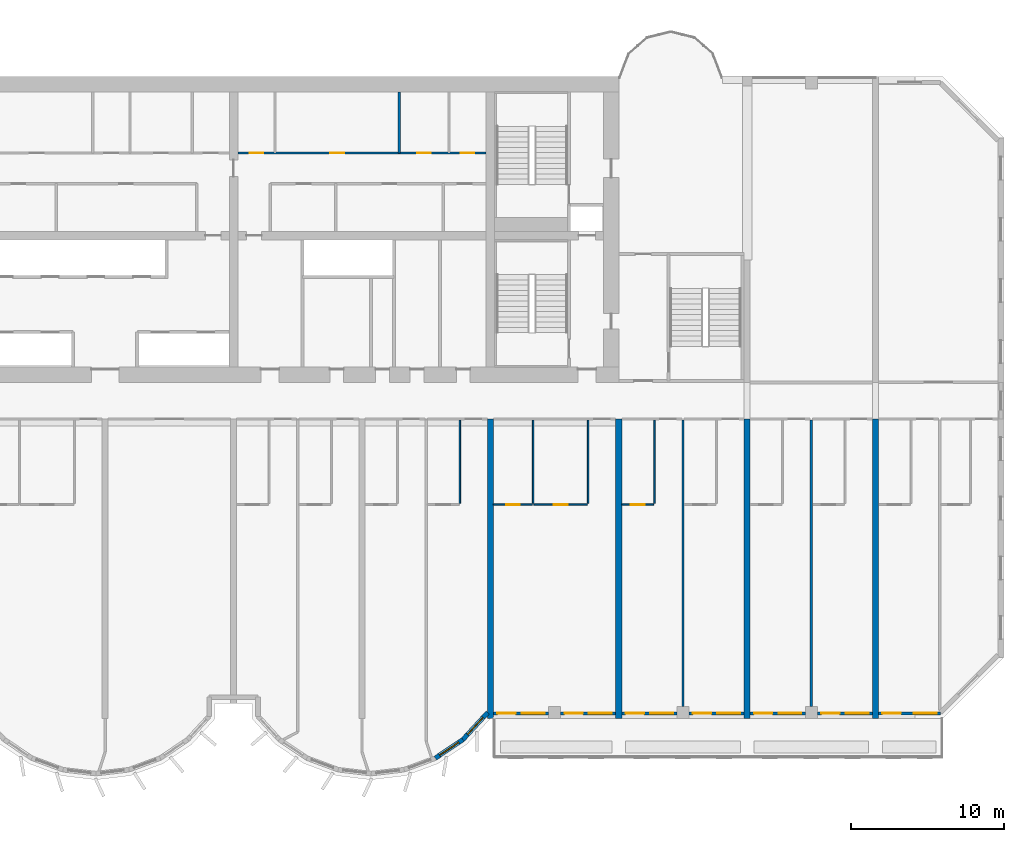
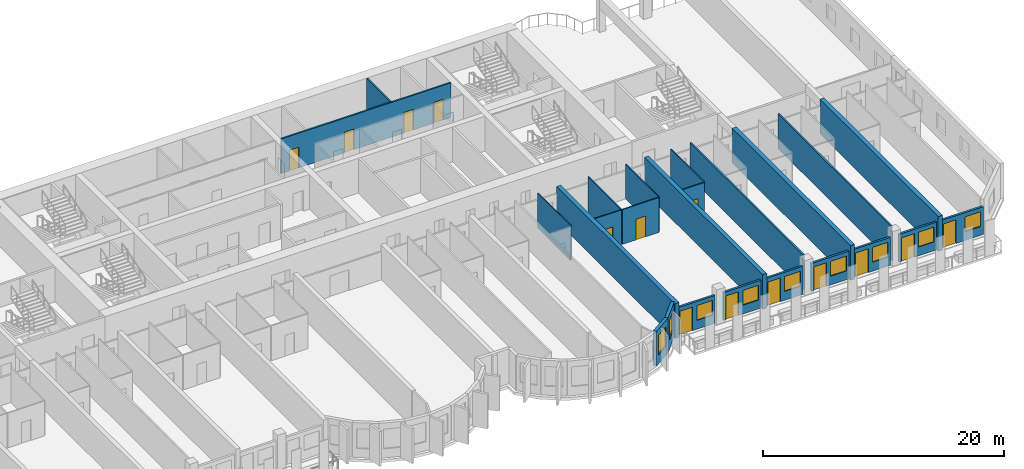
# One storey, part 8 of 14: 24 walls, 14 doors, 9 windows, 23 openings.
"""IFC4 building model written with IfcOpenShell, lengths in metres."""

import ifcopenshell
import ifcopenshell.guid

model = None  # the IFC model being written
_history = None  # IfcOwnerHistory: only IFC2X3 demands one
_inside = {}  # id of a spatial element -> (the spatial element, [elements in it])
_under = {}  # id of a project, library or spatial element -> (it, [spatial elements below it])
_declared = {}  # id of a project -> (the project, [libraries it declares])
_typed = {}  # id of a type object -> (the type object, [elements of that type])
_made_of = {}  # id of a material, layer set ... -> (it, [elements and type objects made of it])


def new_model(schema):
    """Start an empty IFC model of exactly this schema.

    Asked for "IFC4X3", IfcOpenShell would pick the latest addendum, in which some entities
    have other attributes; the version numbers below select the first issue.
    IFC2X3 requires an IfcOwnerHistory on every rooted entity: one is made here for all.
    """
    global model, _history
    if schema == "IFC4X3":
        model = ifcopenshell.file(schema_version=(4, 3, 0, 0))
    else:
        model = ifcopenshell.file(schema=schema)
    _inside.clear()
    _under.clear()
    _declared.clear()
    _typed.clear()
    _made_of.clear()
    _history = None
    if model.schema == "IFC2X3":
        org = make("IfcOrganization", Name="unknown")
        user = make(
            "IfcPersonAndOrganization",
            ThePerson=make("IfcPerson", FamilyName="unknown"),
            TheOrganization=org,
        )
        app = make(
            "IfcApplication",
            ApplicationDeveloper=org,
            Version="unknown",
            ApplicationFullName="unknown",
            ApplicationIdentifier="unknown",
        )
        _history = make(
            "IfcOwnerHistory",
            OwningUser=user,
            OwningApplication=app,
            ChangeAction="ADDED",
            CreationDate=0,
        )
    return model


def make(cls, **values):
    """One entity of the class cls with the attributes given. An attribute that is None is left unset."""
    return model.create_entity(
        cls, **{name: value for name, value in values.items() if value is not None}
    )


def rooted(cls, **values):
    """An entity with a GlobalId (a new one), such as an element, a storey or a relation."""
    return make(cls, GlobalId=ifcopenshell.guid.new(), OwnerHistory=_history, **values)


def si_unit(unit_type, name, prefix=None):
    """IfcSIUnit, for example si_unit("LENGTHUNIT", "METRE", prefix="MILLI")."""
    return make("IfcSIUnit", UnitType=unit_type, Prefix=prefix, Name=name)


def assignment(units):
    """IfcUnitAssignment: the units of a project."""
    return None if units is None else make("IfcUnitAssignment", Units=units)


def point(xyz):
    """IfcCartesianPoint."""
    return None if xyz is None else make("IfcCartesianPoint", Coordinates=xyz)


def direction(xyz):
    """IfcDirection."""
    return None if xyz is None else make("IfcDirection", DirectionRatios=xyz)


def frame(location, z_axis=None, x_axis=None):
    """IfcAxis2Placement3D, a coordinate frame: its origin and axes. An axis left out is left unset."""
    return make(
        "IfcAxis2Placement3D",
        Location=point(location),
        Axis=direction(z_axis),
        RefDirection=direction(x_axis),
    )


def frame_2d(location, x_axis=None):
    """IfcAxis2Placement2D, a coordinate frame in the plane: its origin and x axis."""
    return make(
        "IfcAxis2Placement2D", Location=point(location), RefDirection=direction(x_axis)
    )


def origin():
    """The frame at (0, 0, 0) with its axes left unset."""
    return frame((0.0, 0.0, 0.0))


def place(relative_to, where):
    """IfcLocalPlacement: puts the frame where relative to a parent placement (None: the world)."""
    return make(
        "IfcLocalPlacement", PlacementRelTo=relative_to, RelativePlacement=where
    )


def context(
    kind, dimensions, precision=None, world=None, true_north=None, identifier=None
):
    """IfcGeometricRepresentationContext, for example the 3D "Model" context."""
    return make(
        "IfcGeometricRepresentationContext",
        ContextIdentifier=identifier,
        ContextType=kind,
        CoordinateSpaceDimension=dimensions,
        Precision=precision,
        WorldCoordinateSystem=world,
        TrueNorth=true_north,
    )


def subcontext(parent, identifier, kind, view, scale=None):
    """IfcGeometricRepresentationSubContext, for example "Body" below "Model"."""
    return make(
        "IfcGeometricRepresentationSubContext",
        ContextIdentifier=identifier,
        ContextType=kind,
        ParentContext=parent,
        TargetScale=scale,
        TargetView=view,
    )


def project(units=None, contexts=None):
    """IfcProject with its units and contexts."""
    return rooted(
        "IfcProject",
        Name="project",
        RepresentationContexts=contexts,
        UnitsInContext=assignment(units),
    )


def spatial(cls, under=None, at=None, **own):
    """A site, building, storey or space (cls), placed at a placement, below another one or the project."""
    s = rooted(cls, ObjectPlacement=at, **own)
    if under is not None:
        _under.setdefault(under.id(), (under, []))[1].append(s)
    return s


def profile(cls, at=None, kind="AREA", **sizes):
    """A parametric profile (cls). Its sizes go by their IFC names, for example OverallWidth=200.0."""
    return make(cls, ProfileType=kind, Position=at, **sizes)


def rectangle(**sizes):
    """IfcRectangleProfileDef."""
    return profile("IfcRectangleProfileDef", **sizes)


def extrude(swept, where, along, depth):
    """IfcExtrudedAreaSolid: the profile swept, set in the frame where, extruded along a direction by depth."""
    return make(
        "IfcExtrudedAreaSolid",
        SweptArea=swept,
        Position=where,
        ExtrudedDirection=direction(along),
        Depth=depth,
    )


def shape(context_of_items, identifier, shape_type, items):
    """IfcShapeRepresentation: the items that make up one representation, for example the "Body"."""
    return make(
        "IfcShapeRepresentation",
        ContextOfItems=context_of_items,
        RepresentationIdentifier=identifier,
        RepresentationType=shape_type,
        Items=items,
    )


def source(mapping_origin, context_of_items, identifier, shape_type, items):
    """IfcRepresentationMap: a shape defined once, which mapped items show again and again."""
    return make(
        "IfcRepresentationMap",
        MappingOrigin=mapping_origin,
        MappedRepresentation=shape(context_of_items, identifier, shape_type, items),
    )


def transform(
    local_origin,
    x_axis=None,
    y_axis=None,
    z_axis=None,
    scale=None,
    scale2=None,
    scale3=None,
    uniform=True,
):
    """IfcCartesianTransformationOperator3D, or its non-uniform kind. x_axis, y_axis, z_axis: its Axis1, 2, 3."""
    if uniform:
        return make(
            "IfcCartesianTransformationOperator3D",
            Axis1=direction(x_axis),
            Axis2=direction(y_axis),
            LocalOrigin=point(local_origin),
            Scale=scale,
            Axis3=direction(z_axis),
        )
    return make(
        "IfcCartesianTransformationOperator3DnonUniform",
        Axis1=direction(x_axis),
        Axis2=direction(y_axis),
        LocalOrigin=point(local_origin),
        Scale=scale,
        Axis3=direction(z_axis),
        Scale2=scale2,
        Scale3=scale3,
    )


def mapped(mapping_source, mapping_target):
    """IfcMappedItem: shows the shape of a source again, moved by a transform."""
    return make(
        "IfcMappedItem", MappingSource=mapping_source, MappingTarget=mapping_target
    )


def material(Name=None, Category=None):
    """IfcMaterial."""
    return make("IfcMaterial", Name=Name, Category=Category)


def layer(
    of_material, thickness, ventilated=None, Name=None, Category=None, Priority=None
):
    """IfcMaterialLayer: one layer of a wall or slab, of a material (None: an air gap)."""
    return make(
        "IfcMaterialLayer",
        Material=of_material,
        LayerThickness=thickness,
        IsVentilated=ventilated,
        Name=Name,
        Category=Category,
        Priority=Priority,
    )


def layer_set(layers, Name=None):
    """IfcMaterialLayerSet."""
    return make("IfcMaterialLayerSet", MaterialLayers=layers, LayerSetName=Name)


def made_of(thing, what):
    """Note that an element or type object is made of a material, layer set ...; save() writes the relation."""
    if what is not None:
        _made_of.setdefault(what.id(), (what, []))[1].append(thing)
    return thing


def type_object(cls, material=None, **own):
    """A type object (cls), such as IfcWallType, which elements share."""
    return made_of(rooted(cls, **own), material)


def element(
    cls,
    number,
    at=None,
    inside=None,
    cuts=None,
    type_object=None,
    material=None,
    context=None,
    identifier="Body",
    shape_type=None,
    held_by="IfcProductDefinitionShape",
    body=None,
    shapes=None,
    **own,
):
    """One element of the class cls, such as IfcWall. Its Tag is "e" and its number.

    at: its placement. inside: the storey or other place that contains it. cuts: it is an
    opening in that element (IfcRelVoidsElement). A single representation is given by context,
    identifier, shape_type and body (its items); several are given by shapes. held_by: the class
    of the entity that holds the representations. save() writes the other relations.
    """
    e = rooted(cls, Tag="e%d" % number, ObjectPlacement=at, **own)
    if body is not None:
        shapes = [shape(context, identifier, shape_type, body)]
    if shapes is not None:
        e.Representation = make(held_by, Representations=shapes)
    if inside is not None:
        _inside.setdefault(inside.id(), (inside, []))[1].append(e)
    if cuts is not None:
        rooted(
            "IfcRelVoidsElement", RelatingBuildingElement=cuts, RelatedOpeningElement=e
        )
    if type_object is not None:
        _typed.setdefault(type_object.id(), (type_object, []))[1].append(e)
    return made_of(e, material)


def fill(opening, filler):
    """IfcRelFillsElement: the door or window that sits in an opening."""
    return rooted(
        "IfcRelFillsElement",
        RelatingOpeningElement=opening,
        RelatedBuildingElement=filler,
    )


def aggregate(whole, parts):
    """IfcRelAggregates: a whole, such as a stair, and the parts it consists of."""
    return rooted("IfcRelAggregates", RelatingObject=whole, RelatedObjects=parts)


def save(model, path):
    """Write the relations noted so far, then the file.

    IfcRelAggregates (storeys below a building ...), IfcRelContainedInSpatialStructure (elements
    in a storey), IfcRelDefinesByType, IfcRelAssociatesMaterial and IfcRelDeclares: one each for
    every whole, place, type object, material and project.
    """
    for whole, parts in _under.values():
        aggregate(whole, parts)
    for where, things in _inside.values():
        rooted(
            "IfcRelContainedInSpatialStructure",
            RelatedElements=things,
            RelatingStructure=where,
        )
    for kind, things in _typed.values():
        rooted("IfcRelDefinesByType", RelatedObjects=things, RelatingType=kind)
    for what, things in _made_of.values():
        rooted("IfcRelAssociatesMaterial", RelatedObjects=things, RelatingMaterial=what)
    for by, libraries in _declared.values():
        rooted("IfcRelDeclares", RelatingContext=by, RelatedDefinitions=libraries)
    model.write(path)


model = new_model("IFC4")

# Units and contexts
model_context = context("Model", 3, precision=1e-05, world=origin(), true_north=direction((0.0, 1.0)))
body_context = subcontext(model_context, "Body", "Model", "MODEL_VIEW")
ifc_project = project(units=[si_unit("LENGTHUNIT", "METRE"), si_unit("AREAUNIT", "SQUARE_METRE"), si_unit("VOLUMEUNIT", "CUBIC_METRE"), si_unit("PLANEANGLEUNIT", "RADIAN"), si_unit("MASSUNIT", "GRAM", prefix="KILO")], contexts=[model_context])

# Site, building, storey
site_placement = place(None, origin())
site = spatial("IfcSite", under=ifc_project, at=site_placement, CompositionType="ELEMENT")
building_placement = place(site_placement, origin())
building = spatial("IfcBuilding", under=site, at=building_placement, Name="Vanashikhar Sky Hotel", CompositionType="ELEMENT")
storey_placement = place(building_placement, frame((0.0, 0.0, 58.199951171875)))
storey = spatial("IfcBuildingStorey", under=building, at=storey_placement, Name="L13", CompositionType="ELEMENT", Elevation=58.199951171875)

# Walls
ifc_material_1 = material(Name="Concrete M80", Category="concrete")
ifc_layer_1 = layer(ifc_material_1, 0.39990234375)
ifc_layer_set_1 = layer_set([ifc_layer_1], Name="RC shear wall 400 Concrete M80")
wall_type_1 = type_object("IfcWallType", Name="RC shear wall 400 Concrete M80", PredefinedType="SHEAR", material=ifc_layer_set_1)
shared_shape_1 = source(origin(), body_context, "Body", "SweptSolid", [
    extrude(rectangle(XDim=19.60009765625, YDim=0.39990234375, at=frame_2d((9.800048828125, 0.0))), origin(), (0.0, 0.0, 1.0), 3.52001953125),
])
for number, where, z_axis, x_axis, name in (
    (1, (67.199951171875, 0.0, 0.0), (0.0, 0.0, 1.0), (0.0, 1.0, 0.0), "CW-L13-XW09-1"),
    (2, (75.60009765625, 0.0, 0.0), (0.0, 0.0, 1.0), (0.0, 1.0, 0.0), "CW-L13-XW10-1"),
    (3, (84.0, 0.0, 0.0), (0.0, 0.0, 1.0), (0.0, 1.0, 0.0), "CW-L13-XW11-1"),
    (4, (92.39990234375, 0.0, 0.0), (0.0, 0.0, 1.0), (0.0, 1.0, 0.0), "CW-L13-XW12-1"),
):
    element("IfcWall", number, at=place(storey_placement, frame(where, z_axis=z_axis, x_axis=x_axis)), inside=storey, type_object=wall_type_1, Name=name, PredefinedType="SHEAR", context=body_context, shape_type="MappedRepresentation", body=[
        mapped(shared_shape_1, transform((0.0, 0.0, 0.0), scale=1.0)),
    ])

# Wall, opening, window
ifc_material_2 = material(Name="Concrete M50", Category="concrete")
ifc_layer_2 = layer(ifc_material_2, 0.300048828125)
ifc_layer_set_2 = layer_set([ifc_layer_2], Name="Lobe wall 300")
wall_type_2 = type_object("IfcWallType", Name="Lobe wall 300", PredefinedType="SOLIDWALL", material=ifc_layer_set_2)
shared_shape_2 = source(origin(), body_context, "Body", "SweptSolid", [
    extrude(rectangle(XDim=2.398193359375, YDim=0.300048828125, at=frame_2d((1.19921875, 0.0))), origin(), (0.0, 0.0, 1.0), 3.52001953125),
])
wall_1_placement = place(storey_placement, frame((65.404296875, -1.36865234375, 0.0), z_axis=(0.0, 0.0, 1.0), x_axis=(0.675374189419, 0.737475222815, 0.0)))
wall_1 = element("IfcWall", 5, at=wall_1_placement, inside=storey, type_object=wall_type_2, Name="Lobe wall", PredefinedType="SOLIDWALL", context=body_context, shape_type="MappedRepresentation", body=[
    mapped(shared_shape_2, transform((0.0, 0.0, 0.0), scale=1.0)),
])
shared_shape_3 = source(origin(), body_context, "Body", "SweptSolid", [
    extrude(rectangle(XDim=1.5, YDim=2.0, at=frame_2d((0.75, 1.0))), frame((0.0, 0.16015625, 0.0), z_axis=(0.0, -1.0, 0.0), x_axis=(1.0, 0.0, 0.0)), (0.0, 0.0, 1.0), 0.320068359375),
])
opening_1_placement = place(wall_1_placement, frame((0.44921875, 0.0, 0.89990234375)))
opening_1 = element("IfcOpeningElement", 6, at=opening_1_placement, cuts=wall_1, Name="Opening WN-2", PredefinedType="OPENING", context=body_context, shape_type="MappedRepresentation", body=[
    mapped(shared_shape_3, transform((0.0, 0.0, 0.0), scale=1.0)),
])
ifc_material_3 = material(Name="Glass", Category="glass")
window_type_1 = type_object("IfcWindowType", Name="Lobe window 1500 x 2000", PartitioningType="SINGLE_PANEL", PredefinedType="WINDOW", material=ifc_material_3)
shared_shape_4 = source(origin(), body_context, "Body", "SweptSolid", [
    extrude(rectangle(XDim=1.5, YDim=2.0, at=frame_2d((0.75, 1.0))), frame((0.0, 0.030029296875, 0.0), z_axis=(0.0, -1.0, 0.0), x_axis=(1.0, 0.0, 0.0)), (0.0, 0.0, 1.0), 0.06005859375),
])
window_1_placement = place(opening_1_placement, origin())
window_1 = element("IfcWindow", 7, at=window_1_placement, inside=storey, type_object=window_type_1, Name="Window WN-2", OverallHeight=2.0, OverallWidth=1.5, PartitioningType="SINGLE_PANEL", PredefinedType="WINDOW", context=body_context, shape_type="MappedRepresentation", body=[
    mapped(shared_shape_4, transform((0.0, 0.0, 0.0), scale=1.0)),
])
fill(opening_1, window_1)

shared_shape_5 = source(origin(), body_context, "Body", "SweptSolid", [
    extrude(rectangle(XDim=2.17578125, YDim=0.300048828125, at=frame_2d((1.087890625, 0.0))), origin(), (0.0, 0.0, 1.0), 3.52001953125),
])
wall_2_placement = place(storey_placement, frame((63.59912109375, -2.58349609375, 0.0), z_axis=(0.0, 0.0, 1.0), x_axis=(0.829625727223, 0.558319937607, 0.0)))
wall_2 = element("IfcWall", 8, at=wall_2_placement, inside=storey, type_object=wall_type_2, Name="Lobe wall", PredefinedType="SOLIDWALL", context=body_context, shape_type="MappedRepresentation", body=[
    mapped(shared_shape_5, transform((0.0, 0.0, 0.0), scale=1.0)),
])
opening_2_placement = place(wall_2_placement, frame((0.337890625, 0.0, 0.89990234375)))
opening_2 = element("IfcOpeningElement", 9, at=opening_2_placement, cuts=wall_2, Name="Opening WN-2", PredefinedType="OPENING", context=body_context, shape_type="MappedRepresentation", body=[
    mapped(shared_shape_3, transform((0.0, 0.0, 0.0), scale=1.0)),
])
window_2_placement = place(opening_2_placement, origin())
window_2 = element("IfcWindow", 10, at=window_2_placement, inside=storey, type_object=window_type_1, Name="Window WN-2", OverallHeight=2.0, OverallWidth=1.5, PartitioningType="SINGLE_PANEL", PredefinedType="WINDOW", context=body_context, shape_type="MappedRepresentation", body=[
    mapped(shared_shape_4, transform((0.0, 0.0, 0.0), scale=1.0)),
])
fill(opening_2, window_2)

# Wall, openings, window, door
ifc_layer_3 = layer(ifc_material_2, 0.199951171875)
ifc_layer_set_3 = layer_set([ifc_layer_3], Name="Front window wall 200")
wall_type_3 = type_object("IfcWallType", Name="Front window wall 200", PredefinedType="SOLIDWALL", material=ifc_layer_set_3)
shared_shape_6 = source(origin(), body_context, "Body", "SweptSolid", [
    extrude(rectangle(XDim=4.054931640625, YDim=0.199951171875, at=frame_2d((2.02734375, 0.0))), origin(), (0.0, 0.0, 1.0), 2.820068359375),
])
wall_3_placement = place(storey_placement, frame((92.60009765625, 0.35009765625, 0.0), z_axis=(0.0, 0.0, 1.0), x_axis=(1.0, 0.0, 0.0)))
wall_3 = element("IfcWall", 11, at=wall_3_placement, inside=storey, type_object=wall_type_3, Name="Front window wall", PredefinedType="SOLIDWALL", context=body_context, shape_type="MappedRepresentation", body=[
    mapped(shared_shape_6, transform((0.0, 0.0, 0.0), scale=1.0)),
])
shared_shape_7 = source(origin(), body_context, "Body", "SweptSolid", [
    extrude(rectangle(XDim=1.199951171875, YDim=2.39990234375, at=frame_2d((0.60009765625, 1.199951171875))), frame((0.0, 0.10986328125, 0.0), z_axis=(0.0, -1.0, 0.0), x_axis=(1.0, 0.0, 0.0)), (0.0, 0.0, 1.0), 0.219970703125),
])
opening_3_placement = place(wall_3_placement, frame((0.25, 0.0, 0.0)))
opening_3 = element("IfcOpeningElement", 12, at=opening_3_placement, cuts=wall_3, Name="Opening BD-14", PredefinedType="OPENING", context=body_context, shape_type="MappedRepresentation", body=[
    mapped(shared_shape_7, transform((0.0, 0.0, 0.0), scale=1.0)),
])
shared_shape_8 = source(origin(), body_context, "Body", "SweptSolid", [
    extrude(rectangle(XDim=1.5, YDim=1.5, at=frame_2d((0.75, 0.75))), frame((0.0, 0.10986328125, 0.0), z_axis=(0.0, -1.0, 0.0), x_axis=(1.0, 0.0, 0.0)), (0.0, 0.0, 1.0), 0.219970703125),
])
opening_4_placement = place(wall_3_placement, frame((2.304931640625, 0.0, 0.89990234375)))
opening_4 = element("IfcOpeningElement", 13, at=opening_4_placement, cuts=wall_3, Name="Opening WN-1", PredefinedType="OPENING", context=body_context, shape_type="MappedRepresentation", body=[
    mapped(shared_shape_8, transform((0.0, 0.0, 0.0), scale=1.0)),
])
window_type_2 = type_object("IfcWindowType", Name="Window 1500 x 1500", PartitioningType="SINGLE_PANEL", PredefinedType="WINDOW", material=ifc_material_3)
shared_shape_9 = source(origin(), body_context, "Body", "SweptSolid", [
    extrude(rectangle(XDim=1.5, YDim=1.5, at=frame_2d((0.75, 0.75))), frame((0.0, 0.030029296875, 0.0), z_axis=(0.0, -1.0, 0.0), x_axis=(1.0, 0.0, 0.0)), (0.0, 0.0, 1.0), 0.06005859375),
])
window_3_placement = place(opening_4_placement, origin())
window_3 = element("IfcWindow", 14, at=window_3_placement, inside=storey, type_object=window_type_2, Name="Window WN-1", OverallHeight=1.5, OverallWidth=1.5, PartitioningType="SINGLE_PANEL", PredefinedType="WINDOW", context=body_context, shape_type="MappedRepresentation", body=[
    mapped(shared_shape_9, transform((0.0, 0.0, 0.0), scale=1.0)),
])
fill(opening_4, window_3)
ifc_material_4 = material(Name="Aluminium", Category="aluminium")
door_type_1 = type_object("IfcDoorType", Name="Balcony sliding door 1200 x 2400", OperationType="NOTDEFINED", PredefinedType="DOOR", material=ifc_material_4)
shared_shape_10 = source(origin(), body_context, "Body", "SweptSolid", [
    extrude(rectangle(XDim=1.199951171875, YDim=2.39990234375, at=frame_2d((0.60009765625, 1.199951171875))), frame((0.0, 0.02490234375, 0.0), z_axis=(0.0, -1.0, 0.0), x_axis=(1.0, 0.0, 0.0)), (0.0, 0.0, 1.0), 0.050048828125),
])
door_1_placement = place(opening_3_placement, origin())
door_1 = element("IfcDoor", 15, at=door_1_placement, inside=storey, type_object=door_type_1, Name="Balcony sliding door", OperationType="SLIDING_TO_RIGHT", OverallHeight=2.39990234375, OverallWidth=1.199951171875, PredefinedType="DOOR", context=body_context, shape_type="MappedRepresentation", body=[
    mapped(shared_shape_10, transform((0.0, 0.0, 0.0), scale=1.0)),
])
fill(opening_3, door_1)

shared_shape_11 = source(origin(), body_context, "Body", "SweptSolid", [
    extrude(rectangle(XDim=3.599853515625, YDim=0.199951171875, at=frame_2d((1.7998046875, 0.0))), origin(), (0.0, 0.0, 1.0), 2.820068359375),
])
wall_4_placement = place(storey_placement, frame((71.800048828125, 0.35009765625, 0.0), z_axis=(0.0, 0.0, 1.0), x_axis=(1.0, 0.0, 0.0)))
wall_4 = element("IfcWall", 16, at=wall_4_placement, inside=storey, type_object=wall_type_3, Name="Front window wall", PredefinedType="SOLIDWALL", context=body_context, shape_type="MappedRepresentation", body=[
    mapped(shared_shape_11, transform((0.0, 0.0, 0.0), scale=1.0)),
])
opening_5_placement = place(wall_4_placement, frame((0.25, 0.0, 0.0)))
opening_5 = element("IfcOpeningElement", 17, at=opening_5_placement, cuts=wall_4, Name="Opening BD-09", PredefinedType="OPENING", context=body_context, shape_type="MappedRepresentation", body=[
    mapped(shared_shape_7, transform((0.0, 0.0, 0.0), scale=1.0)),
])
opening_6_placement = place(wall_4_placement, frame((1.85009765625, 0.0, 0.89990234375)))
opening_6 = element("IfcOpeningElement", 18, at=opening_6_placement, cuts=wall_4, Name="Opening WN-1", PredefinedType="OPENING", context=body_context, shape_type="MappedRepresentation", body=[
    mapped(shared_shape_8, transform((0.0, 0.0, 0.0), scale=1.0)),
])
window_4_placement = place(opening_6_placement, origin())
window_4 = element("IfcWindow", 19, at=window_4_placement, inside=storey, type_object=window_type_2, Name="Window WN-1", OverallHeight=1.5, OverallWidth=1.5, PartitioningType="SINGLE_PANEL", PredefinedType="WINDOW", context=body_context, shape_type="MappedRepresentation", body=[
    mapped(shared_shape_9, transform((0.0, 0.0, 0.0), scale=1.0)),
])
fill(opening_6, window_4)
door_2_placement = place(opening_5_placement, origin())
door_2 = element("IfcDoor", 20, at=door_2_placement, inside=storey, type_object=door_type_1, Name="Balcony sliding door", OperationType="SLIDING_TO_LEFT", OverallHeight=2.39990234375, OverallWidth=1.199951171875, PredefinedType="DOOR", context=body_context, shape_type="MappedRepresentation", body=[
    mapped(shared_shape_10, transform((0.0, 0.0, 0.0), scale=1.0)),
])
fill(opening_5, door_2)

wall_5_placement = place(storey_placement, frame((75.800048828125, 0.35009765625, 0.0), z_axis=(0.0, 0.0, 1.0), x_axis=(1.0, 0.0, 0.0)))
wall_5 = element("IfcWall", 21, at=wall_5_placement, inside=storey, type_object=wall_type_3, Name="Front window wall", PredefinedType="SOLIDWALL", context=body_context, shape_type="MappedRepresentation", body=[
    mapped(shared_shape_11, transform((0.0, 0.0, 0.0), scale=1.0)),
])
opening_7_placement = place(wall_5_placement, frame((0.25, 0.0, 0.0)))
opening_7 = element("IfcOpeningElement", 22, at=opening_7_placement, cuts=wall_5, Name="Opening BD-10", PredefinedType="OPENING", context=body_context, shape_type="MappedRepresentation", body=[
    mapped(shared_shape_7, transform((0.0, 0.0, 0.0), scale=1.0)),
])
opening_8_placement = place(wall_5_placement, frame((1.85009765625, 0.0, 0.89990234375)))
opening_8 = element("IfcOpeningElement", 23, at=opening_8_placement, cuts=wall_5, Name="Opening WN-1", PredefinedType="OPENING", context=body_context, shape_type="MappedRepresentation", body=[
    mapped(shared_shape_8, transform((0.0, 0.0, 0.0), scale=1.0)),
])
window_5_placement = place(opening_8_placement, origin())
window_5 = element("IfcWindow", 24, at=window_5_placement, inside=storey, type_object=window_type_2, Name="Window WN-1", OverallHeight=1.5, OverallWidth=1.5, PartitioningType="SINGLE_PANEL", PredefinedType="WINDOW", context=body_context, shape_type="MappedRepresentation", body=[
    mapped(shared_shape_9, transform((0.0, 0.0, 0.0), scale=1.0)),
])
fill(opening_8, window_5)
door_3_placement = place(opening_7_placement, origin())
door_3 = element("IfcDoor", 25, at=door_3_placement, inside=storey, type_object=door_type_1, Name="Balcony sliding door", OperationType="SLIDING_TO_RIGHT", OverallHeight=2.39990234375, OverallWidth=1.199951171875, PredefinedType="DOOR", context=body_context, shape_type="MappedRepresentation", body=[
    mapped(shared_shape_10, transform((0.0, 0.0, 0.0), scale=1.0)),
])
fill(opening_7, door_3)

wall_6_placement = place(storey_placement, frame((88.60009765625, 0.35009765625, 0.0), z_axis=(0.0, 0.0, 1.0), x_axis=(1.0, 0.0, 0.0)))
wall_6 = element("IfcWall", 26, at=wall_6_placement, inside=storey, type_object=wall_type_3, Name="Front window wall", PredefinedType="SOLIDWALL", context=body_context, shape_type="MappedRepresentation", body=[
    mapped(shared_shape_11, transform((0.0, 0.0, 0.0), scale=1.0)),
])
opening_9_placement = place(wall_6_placement, frame((0.25, 0.0, 0.0)))
opening_9 = element("IfcOpeningElement", 27, at=opening_9_placement, cuts=wall_6, Name="Opening BD-13", PredefinedType="OPENING", context=body_context, shape_type="MappedRepresentation", body=[
    mapped(shared_shape_7, transform((0.0, 0.0, 0.0), scale=1.0)),
])
opening_10_placement = place(wall_6_placement, frame((1.85009765625, 0.0, 0.89990234375)))
opening_10 = element("IfcOpeningElement", 28, at=opening_10_placement, cuts=wall_6, Name="Opening WN-1", PredefinedType="OPENING", context=body_context, shape_type="MappedRepresentation", body=[
    mapped(shared_shape_8, transform((0.0, 0.0, 0.0), scale=1.0)),
])
window_6_placement = place(opening_10_placement, origin())
window_6 = element("IfcWindow", 29, at=window_6_placement, inside=storey, type_object=window_type_2, Name="Window WN-1", OverallHeight=1.5, OverallWidth=1.5, PartitioningType="SINGLE_PANEL", PredefinedType="WINDOW", context=body_context, shape_type="MappedRepresentation", body=[
    mapped(shared_shape_9, transform((0.0, 0.0, 0.0), scale=1.0)),
])
fill(opening_10, window_6)
door_4_placement = place(opening_9_placement, origin())
door_4 = element("IfcDoor", 30, at=door_4_placement, inside=storey, type_object=door_type_1, Name="Balcony sliding door", OperationType="SLIDING_TO_LEFT", OverallHeight=2.39990234375, OverallWidth=1.199951171875, PredefinedType="DOOR", context=body_context, shape_type="MappedRepresentation", body=[
    mapped(shared_shape_10, transform((0.0, 0.0, 0.0), scale=1.0)),
])
fill(opening_9, door_4)

shared_shape_12 = source(origin(), body_context, "Body", "SweptSolid", [
    extrude(rectangle(XDim=3.60009765625, YDim=0.199951171875, at=frame_2d((1.800048828125, 0.0))), origin(), (0.0, 0.0, 1.0), 2.820068359375),
])
wall_7_placement = place(storey_placement, frame((67.39990234375, 0.35009765625, 0.0), z_axis=(0.0, 0.0, 1.0), x_axis=(1.0, 0.0, 0.0)))
wall_7 = element("IfcWall", 31, at=wall_7_placement, inside=storey, type_object=wall_type_3, Name="Front window wall", PredefinedType="SOLIDWALL", context=body_context, shape_type="MappedRepresentation", body=[
    mapped(shared_shape_12, transform((0.0, 0.0, 0.0), scale=1.0)),
])
opening_11_placement = place(wall_7_placement, frame((0.25, 0.0, 0.0)))
opening_11 = element("IfcOpeningElement", 32, at=opening_11_placement, cuts=wall_7, Name="Opening BD-08", PredefinedType="OPENING", context=body_context, shape_type="MappedRepresentation", body=[
    mapped(shared_shape_7, transform((0.0, 0.0, 0.0), scale=1.0)),
])
opening_12_placement = place(wall_7_placement, frame((1.85009765625, 0.0, 0.89990234375)))
opening_12 = element("IfcOpeningElement", 33, at=opening_12_placement, cuts=wall_7, Name="Opening WN-1", PredefinedType="OPENING", context=body_context, shape_type="MappedRepresentation", body=[
    mapped(shared_shape_8, transform((0.0, 0.0, 0.0), scale=1.0)),
])
window_7_placement = place(opening_12_placement, origin())
window_7 = element("IfcWindow", 34, at=window_7_placement, inside=storey, type_object=window_type_2, Name="Window WN-1", OverallHeight=1.5, OverallWidth=1.5, PartitioningType="SINGLE_PANEL", PredefinedType="WINDOW", context=body_context, shape_type="MappedRepresentation", body=[
    mapped(shared_shape_9, transform((0.0, 0.0, 0.0), scale=1.0)),
])
fill(opening_12, window_7)
door_5_placement = place(opening_11_placement, origin())
door_5 = element("IfcDoor", 35, at=door_5_placement, inside=storey, type_object=door_type_1, Name="Balcony sliding door", OperationType="SLIDING_TO_RIGHT", OverallHeight=2.39990234375, OverallWidth=1.199951171875, PredefinedType="DOOR", context=body_context, shape_type="MappedRepresentation", body=[
    mapped(shared_shape_10, transform((0.0, 0.0, 0.0), scale=1.0)),
])
fill(opening_11, door_5)

wall_8_placement = place(storey_placement, frame((80.199951171875, 0.35009765625, 0.0), z_axis=(0.0, 0.0, 1.0), x_axis=(1.0, 0.0, 0.0)))
wall_8 = element("IfcWall", 36, at=wall_8_placement, inside=storey, type_object=wall_type_3, Name="Front window wall", PredefinedType="SOLIDWALL", context=body_context, shape_type="MappedRepresentation", body=[
    mapped(shared_shape_12, transform((0.0, 0.0, 0.0), scale=1.0)),
])
opening_13_placement = place(wall_8_placement, frame((0.25, 0.0, 0.0)))
opening_13 = element("IfcOpeningElement", 37, at=opening_13_placement, cuts=wall_8, Name="Opening BD-11", PredefinedType="OPENING", context=body_context, shape_type="MappedRepresentation", body=[
    mapped(shared_shape_7, transform((0.0, 0.0, 0.0), scale=1.0)),
])
opening_14_placement = place(wall_8_placement, frame((1.85009765625, 0.0, 0.89990234375)))
opening_14 = element("IfcOpeningElement", 38, at=opening_14_placement, cuts=wall_8, Name="Opening WN-1", PredefinedType="OPENING", context=body_context, shape_type="MappedRepresentation", body=[
    mapped(shared_shape_8, transform((0.0, 0.0, 0.0), scale=1.0)),
])
window_8_placement = place(opening_14_placement, origin())
window_8 = element("IfcWindow", 39, at=window_8_placement, inside=storey, type_object=window_type_2, Name="Window WN-1", OverallHeight=1.5, OverallWidth=1.5, PartitioningType="SINGLE_PANEL", PredefinedType="WINDOW", context=body_context, shape_type="MappedRepresentation", body=[
    mapped(shared_shape_9, transform((0.0, 0.0, 0.0), scale=1.0)),
])
fill(opening_14, window_8)
door_6_placement = place(opening_13_placement, origin())
door_6 = element("IfcDoor", 40, at=door_6_placement, inside=storey, type_object=door_type_1, Name="Balcony sliding door", OperationType="SLIDING_TO_LEFT", OverallHeight=2.39990234375, OverallWidth=1.199951171875, PredefinedType="DOOR", context=body_context, shape_type="MappedRepresentation", body=[
    mapped(shared_shape_10, transform((0.0, 0.0, 0.0), scale=1.0)),
])
fill(opening_13, door_6)

wall_9_placement = place(storey_placement, frame((84.199951171875, 0.35009765625, 0.0), z_axis=(0.0, 0.0, 1.0), x_axis=(1.0, 0.0, 0.0)))
wall_9 = element("IfcWall", 41, at=wall_9_placement, inside=storey, type_object=wall_type_3, Name="Front window wall", PredefinedType="SOLIDWALL", context=body_context, shape_type="MappedRepresentation", body=[
    mapped(shared_shape_12, transform((0.0, 0.0, 0.0), scale=1.0)),
])
opening_15_placement = place(wall_9_placement, frame((0.25, 0.0, 0.0)))
opening_15 = element("IfcOpeningElement", 42, at=opening_15_placement, cuts=wall_9, Name="Opening BD-12", PredefinedType="OPENING", context=body_context, shape_type="MappedRepresentation", body=[
    mapped(shared_shape_7, transform((0.0, 0.0, 0.0), scale=1.0)),
])
opening_16_placement = place(wall_9_placement, frame((1.85009765625, 0.0, 0.89990234375)))
opening_16 = element("IfcOpeningElement", 43, at=opening_16_placement, cuts=wall_9, Name="Opening WN-1", PredefinedType="OPENING", context=body_context, shape_type="MappedRepresentation", body=[
    mapped(shared_shape_8, transform((0.0, 0.0, 0.0), scale=1.0)),
])
window_9_placement = place(opening_16_placement, origin())
window_9 = element("IfcWindow", 44, at=window_9_placement, inside=storey, type_object=window_type_2, Name="Window WN-1", OverallHeight=1.5, OverallWidth=1.5, PartitioningType="SINGLE_PANEL", PredefinedType="WINDOW", context=body_context, shape_type="MappedRepresentation", body=[
    mapped(shared_shape_9, transform((0.0, 0.0, 0.0), scale=1.0)),
])
fill(opening_16, window_9)
door_7_placement = place(opening_15_placement, origin())
door_7 = element("IfcDoor", 45, at=door_7_placement, inside=storey, type_object=door_type_1, Name="Balcony sliding door", OperationType="SLIDING_TO_RIGHT", OverallHeight=2.39990234375, OverallWidth=1.199951171875, PredefinedType="DOOR", context=body_context, shape_type="MappedRepresentation", body=[
    mapped(shared_shape_10, transform((0.0, 0.0, 0.0), scale=1.0)),
])
fill(opening_15, door_7)

# Wall, openings, doors
ifc_material_5 = material(Name="Gypsum board partition")
ifc_layer_4 = layer(ifc_material_5, 0.14990234375)
ifc_layer_set_4 = layer_set([ifc_layer_4], Name="Service partition 150")
wall_type_4 = type_object("IfcWallType", Name="Service partition 150", PredefinedType="PARTITIONING", material=ifc_layer_set_4)
shared_shape_13 = source(origin(), body_context, "Body", "SweptSolid", [
    extrude(rectangle(XDim=16.25, YDim=0.14990234375, at=frame_2d((8.125, 0.0))), origin(), (0.0, 0.0, 1.0), 3.52001953125),
])
wall_10_placement = place(storey_placement, frame((66.925048828125, 37.0, 0.0), z_axis=(0.0, 0.0, 1.0), x_axis=(-1.0, 0.0, 0.0)))
wall_10 = element("IfcWall", 46, at=wall_10_placement, inside=storey, type_object=wall_type_4, Name="Service partition 150", PredefinedType="PARTITIONING", context=body_context, shape_type="MappedRepresentation", body=[
    mapped(shared_shape_13, transform((0.0, 0.0, 0.0), scale=1.0)),
])
shared_shape_14 = source(origin(), body_context, "Body", "SweptSolid", [
    extrude(rectangle(XDim=0.89990234375, YDim=2.10009765625, at=frame_2d((0.449951171875, 1.050048828125))), frame((0.0, 0.0849609375, 0.0), z_axis=(0.0, -1.0, 0.0), x_axis=(1.0, 0.0, 0.0)), (0.0, 0.0, 1.0), 0.169921875),
])
opening_17_placement = place(wall_10_placement, frame((0.76904296875, 0.0, 0.0)))
opening_17 = element("IfcOpeningElement", 47, at=opening_17_placement, cuts=wall_10, Name="Opening DC-4-A", PredefinedType="OPENING", context=body_context, shape_type="MappedRepresentation", body=[
    mapped(shared_shape_14, transform((0.0, 0.0, 0.0), scale=1.0)),
])
opening_18_placement = place(wall_10_placement, frame((3.613037109375, 0.0, 0.0)))
opening_18 = element("IfcOpeningElement", 48, at=opening_18_placement, cuts=wall_10, Name="Opening DC-4-A", PredefinedType="OPENING", context=body_context, shape_type="MappedRepresentation", body=[
    mapped(shared_shape_14, transform((0.0, 0.0, 0.0), scale=1.0)),
])
opening_19_placement = place(wall_10_placement, frame((9.300048828125, 0.0, 0.0)))
opening_19 = element("IfcOpeningElement", 49, at=opening_19_placement, cuts=wall_10, Name="Opening DC-4-A", PredefinedType="OPENING", context=body_context, shape_type="MappedRepresentation", body=[
    mapped(shared_shape_14, transform((0.0, 0.0, 0.0), scale=1.0)),
])
opening_20_placement = place(wall_10_placement, frame((14.5810546875, 0.0, 0.0)))
opening_20 = element("IfcOpeningElement", 50, at=opening_20_placement, cuts=wall_10, Name="Opening DC-4-A", PredefinedType="OPENING", context=body_context, shape_type="MappedRepresentation", body=[
    mapped(shared_shape_14, transform((0.0, 0.0, 0.0), scale=1.0)),
])
ifc_material_6 = material(Name="Steel", Category="steel")
door_type_2 = type_object("IfcDoorType", Name="Service door 900 FD60", OperationType="NOTDEFINED", PredefinedType="DOOR", material=ifc_material_6)
shared_shape_15 = source(origin(), body_context, "Body", "SweptSolid", [
    extrude(rectangle(XDim=0.89990234375, YDim=2.10009765625, at=frame_2d((0.449951171875, 1.050048828125))), frame((0.0, 0.02490234375, 0.0), z_axis=(0.0, -1.0, 0.0), x_axis=(1.0, 0.0, 0.0)), (0.0, 0.0, 1.0), 0.050048828125),
])
door_8_placement = place(opening_17_placement, origin())
door_8 = element("IfcDoor", 51, at=door_8_placement, inside=storey, type_object=door_type_2, Name="Service door 900 FD60", OperationType="SINGLE_SWING_LEFT", OverallHeight=2.10009765625, OverallWidth=0.89990234375, PredefinedType="DOOR", context=body_context, shape_type="MappedRepresentation", body=[
    mapped(shared_shape_15, transform((0.0, 0.0, 0.0), scale=1.0)),
])
fill(opening_17, door_8)
door_9_placement = place(opening_18_placement, origin())
door_9 = element("IfcDoor", 52, at=door_9_placement, inside=storey, type_object=door_type_2, Name="Service door 900 FD60", OperationType="SINGLE_SWING_RIGHT", OverallHeight=2.10009765625, OverallWidth=0.89990234375, PredefinedType="DOOR", context=body_context, shape_type="MappedRepresentation", body=[
    mapped(shared_shape_15, transform((0.0, 0.0, 0.0), scale=1.0)),
])
fill(opening_18, door_9)
door_10_placement = place(opening_19_placement, origin())
door_10 = element("IfcDoor", 53, at=door_10_placement, inside=storey, type_object=door_type_2, Name="Service door 900 FD60", OperationType="SINGLE_SWING_RIGHT", OverallHeight=2.10009765625, OverallWidth=0.89990234375, PredefinedType="DOOR", context=body_context, shape_type="MappedRepresentation", body=[
    mapped(shared_shape_15, transform((0.0, 0.0, 0.0), scale=1.0)),
])
fill(opening_19, door_10)
door_11_placement = place(opening_20_placement, origin())
door_11 = element("IfcDoor", 54, at=door_11_placement, inside=storey, type_object=door_type_2, Name="Service door 900 FD60", OperationType="SINGLE_SWING_RIGHT", OverallHeight=2.10009765625, OverallWidth=0.89990234375, PredefinedType="DOOR", context=body_context, shape_type="MappedRepresentation", body=[
    mapped(shared_shape_15, transform((0.0, 0.0, 0.0), scale=1.0)),
])
fill(opening_20, door_11)

# Wall
shared_shape_16 = source(origin(), body_context, "Body", "SweptSolid", [
    extrude(rectangle(XDim=4.0, YDim=0.14990234375, at=frame_2d((2.0, 0.0))), origin(), (0.0, 0.0, 1.0), 3.52001953125),
])
wall_11_placement = place(storey_placement, frame((61.237060546875, 37.0, 0.0), z_axis=(0.0, 0.0, 1.0), x_axis=(0.0, 1.0, 0.0)))
element("IfcWall", 55, at=wall_11_placement, inside=storey, type_object=wall_type_4, Name="Service partition 150", PredefinedType="PARTITIONING", context=body_context, shape_type="MappedRepresentation", body=[
    mapped(shared_shape_16, transform((0.0, 0.0, 0.0), scale=1.0)),
])

# Wall, opening, door
ifc_material_7 = material(Name="Gypsum plasterboard partition")
ifc_layer_5 = layer(ifc_material_7, 0.10009765625)
ifc_layer_set_5 = layer_set([ifc_layer_5], Name="Wet room partition 100")
wall_type_5 = type_object("IfcWallType", Name="Wet room partition 100", PredefinedType="PARTITIONING", material=ifc_layer_set_5)
shared_shape_17 = source(origin(), body_context, "Body", "SweptSolid", [
    extrude(rectangle(XDim=3.5, YDim=0.10009765625, at=frame_2d((1.75, 0.0))), origin(), (0.0, 0.0, 1.0), 3.52001953125),
])
wall_12_placement = place(storey_placement, frame((70.050048828125, 14.0, 0.0), z_axis=(0.0, 0.0, 1.0), x_axis=(1.0, 0.0, 0.0)))
wall_12 = element("IfcWall", 56, at=wall_12_placement, inside=storey, type_object=wall_type_5, Name="W-L13-PW047", PredefinedType="PARTITIONING", context=body_context, shape_type="MappedRepresentation", body=[
    mapped(shared_shape_17, transform((0.0, 0.0, 0.0), scale=1.0)),
])
shared_shape_18 = source(origin(), body_context, "Body", "SweptSolid", [
    extrude(rectangle(XDim=0.89990234375, YDim=2.10009765625, at=frame_2d((0.449951171875, 1.050048828125))), frame((0.0, 0.06005859375, 0.0), z_axis=(0.0, -1.0, 0.0), x_axis=(1.0, 0.0, 0.0)), (0.0, 0.0, 1.0), 0.1201171875),
])
opening_21_placement = place(wall_12_placement, frame((1.300048828125, 0.0, 0.0)))
opening_21 = element("IfcOpeningElement", 57, at=opening_21_placement, cuts=wall_12, Name="Opening D-02", PredefinedType="OPENING", context=body_context, shape_type="MappedRepresentation", body=[
    mapped(shared_shape_18, transform((0.0, 0.0, 0.0), scale=1.0)),
])
ifc_material_8 = material(Name="Timber door", Category="wood")
door_type_3 = type_object("IfcDoorType", Name="Internal door 900", OperationType="NOTDEFINED", PredefinedType="DOOR", material=ifc_material_8)
door_12_placement = place(opening_21_placement, origin())
door_12 = element("IfcDoor", 58, at=door_12_placement, inside=storey, type_object=door_type_3, Name="D-L13-027", OperationType="SINGLE_SWING_RIGHT", OverallHeight=2.10009765625, OverallWidth=0.89990234375, PredefinedType="DOOR", context=body_context, shape_type="MappedRepresentation", body=[
    mapped(shared_shape_15, transform((0.0, 0.0, 0.0), scale=1.0)),
])
fill(opening_21, door_12)

shared_shape_19 = source(origin(), body_context, "Body", "SweptSolid", [
    extrude(rectangle(XDim=2.074951171875, YDim=0.10009765625, at=frame_2d((1.03759765625, 0.0))), origin(), (0.0, 0.0, 1.0), 3.52001953125),
])
wall_13_placement = place(storey_placement, frame((75.800048828125, 14.0, 0.0), z_axis=(0.0, 0.0, 1.0), x_axis=(1.0, 0.0, 0.0)))
wall_13 = element("IfcWall", 59, at=wall_13_placement, inside=storey, type_object=wall_type_5, Name="W-L13-PW051", PredefinedType="PARTITIONING", context=body_context, shape_type="MappedRepresentation", body=[
    mapped(shared_shape_19, transform((0.0, 0.0, 0.0), scale=1.0)),
])
opening_22_placement = place(wall_13_placement, frame((0.587890625, 0.0, 0.0)))
opening_22 = element("IfcOpeningElement", 60, at=opening_22_placement, cuts=wall_13, Name="Opening D-02", PredefinedType="OPENING", context=body_context, shape_type="MappedRepresentation", body=[
    mapped(shared_shape_18, transform((0.0, 0.0, 0.0), scale=1.0)),
])
door_13_placement = place(opening_22_placement, origin())
door_13 = element("IfcDoor", 61, at=door_13_placement, inside=storey, type_object=door_type_3, Name="D-L13-030", OperationType="SINGLE_SWING_RIGHT", OverallHeight=2.10009765625, OverallWidth=0.89990234375, PredefinedType="DOOR", context=body_context, shape_type="MappedRepresentation", body=[
    mapped(shared_shape_15, transform((0.0, 0.0, 0.0), scale=1.0)),
])
fill(opening_22, door_13)

# Walls
ifc_layer_6 = layer(ifc_material_7, 0.14990234375)
ifc_layer_set_6 = layer_set([ifc_layer_6], Name="Corridor and demising partition 150")
wall_type_6 = type_object("IfcWallType", Name="Corridor and demising partition 150", PredefinedType="PARTITIONING", material=ifc_layer_set_6)
shared_shape_20 = source(origin(), body_context, "Body", "SweptSolid", [
    extrude(rectangle(XDim=18.724853515625, YDim=0.14990234375, at=frame_2d((9.3623046875, 0.0))), origin(), (0.0, 0.0, 1.0), 3.52001953125),
])
for number, where, z_axis, x_axis, name in (
    (62, (79.800048828125, 0.800048828125, 0.0), (0.0, 0.0, 1.0), (0.0, 1.0, 0.0), "W-L13-PW056"),
    (63, (88.199951171875, 0.800048828125, 0.0), (0.0, 0.0, 1.0), (0.0, 1.0, 0.0), "W-L13-PW063"),
):
    element("IfcWall", number, at=place(storey_placement, frame(where, z_axis=z_axis, x_axis=x_axis)), inside=storey, type_object=wall_type_6, Name=name, PredefinedType="PARTITIONING", context=body_context, shape_type="MappedRepresentation", body=[
        mapped(shared_shape_20, transform((0.0, 0.0, 0.0), scale=1.0)),
    ])

# Wall, opening, door
shared_shape_21 = source(origin(), body_context, "Body", "SweptSolid", [
    extrude(rectangle(XDim=2.550048828125, YDim=0.10009765625, at=frame_2d((1.27490234375, 0.0))), origin(), (0.0, 0.0, 1.0), 3.52001953125),
])
wall_14_placement = place(storey_placement, frame((67.39990234375, 14.0, 0.0), z_axis=(0.0, 0.0, 1.0), x_axis=(1.0, 0.0, 0.0)))
wall_14 = element("IfcWall", 64, at=wall_14_placement, inside=storey, type_object=wall_type_5, Name="W-L13-PW048", PredefinedType="PARTITIONING", context=body_context, shape_type="MappedRepresentation", body=[
    mapped(shared_shape_21, transform((0.0, 0.0, 0.0), scale=1.0)),
])
opening_23_placement = place(wall_14_placement, frame((0.824951171875, 0.0, 0.0)))
opening_23 = element("IfcOpeningElement", 65, at=opening_23_placement, cuts=wall_14, Name="Opening D-02", PredefinedType="OPENING", context=body_context, shape_type="MappedRepresentation", body=[
    mapped(shared_shape_18, transform((0.0, 0.0, 0.0), scale=1.0)),
])
door_14_placement = place(opening_23_placement, origin())
door_14 = element("IfcDoor", 66, at=door_14_placement, inside=storey, type_object=door_type_3, Name="D-L13-028", OperationType="SINGLE_SWING_RIGHT", OverallHeight=2.10009765625, OverallWidth=0.89990234375, PredefinedType="DOOR", context=body_context, shape_type="MappedRepresentation", body=[
    mapped(shared_shape_15, transform((0.0, 0.0, 0.0), scale=1.0)),
])
fill(opening_23, door_14)

# Walls
shared_shape_22 = source(origin(), body_context, "Body", "SweptSolid", [
    extrude(rectangle(XDim=5.449951171875, YDim=0.10009765625, at=frame_2d((2.72509765625, 0.0))), origin(), (0.0, 0.0, 1.0), 3.52001953125),
])
for number, where, z_axis, x_axis, name in (
    (67, (65.199951171875, 14.074951171875, 0.0), (0.0, 0.0, 1.0), (0.0, 1.0, 0.0), "W-L13-PW041"),
    (68, (73.60009765625, 14.074951171875, 0.0), (0.0, 0.0, 1.0), (0.0, 1.0, 0.0), "W-L13-PW045"),
    (69, (70.0, 14.074951171875, 0.0), (0.0, 0.0, 1.0), (0.0, 1.0, 0.0), "W-L13-PW046"),
    (70, (77.925048828125, 14.074951171875, 0.0), (0.0, 0.0, 1.0), (0.0, 1.0, 0.0), "W-L13-PW050"),
):
    element("IfcWall", number, at=place(storey_placement, frame(where, z_axis=z_axis, x_axis=x_axis)), inside=storey, type_object=wall_type_5, Name=name, PredefinedType="PARTITIONING", context=body_context, shape_type="MappedRepresentation", body=[
        mapped(shared_shape_22, transform((0.0, 0.0, 0.0), scale=1.0)),
    ])

save(model, "model.ifc")
